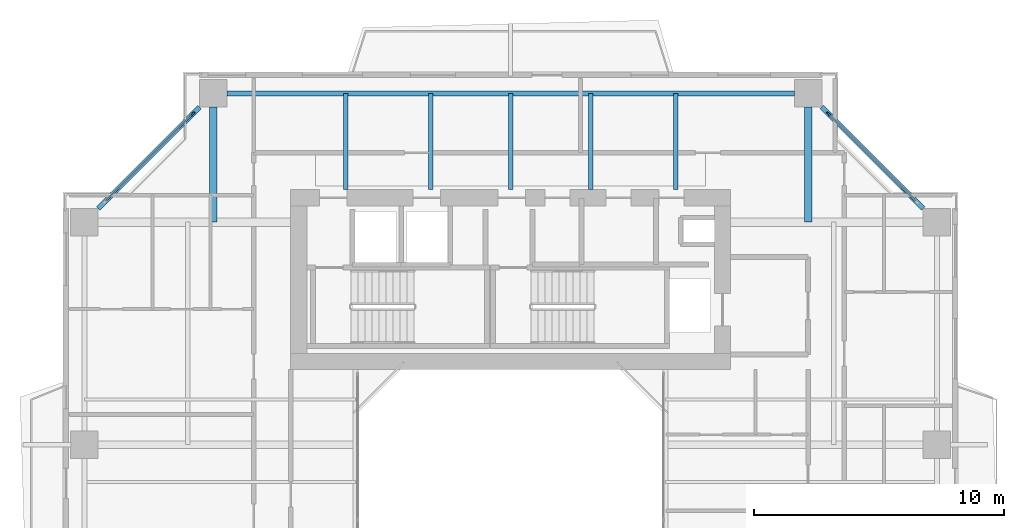
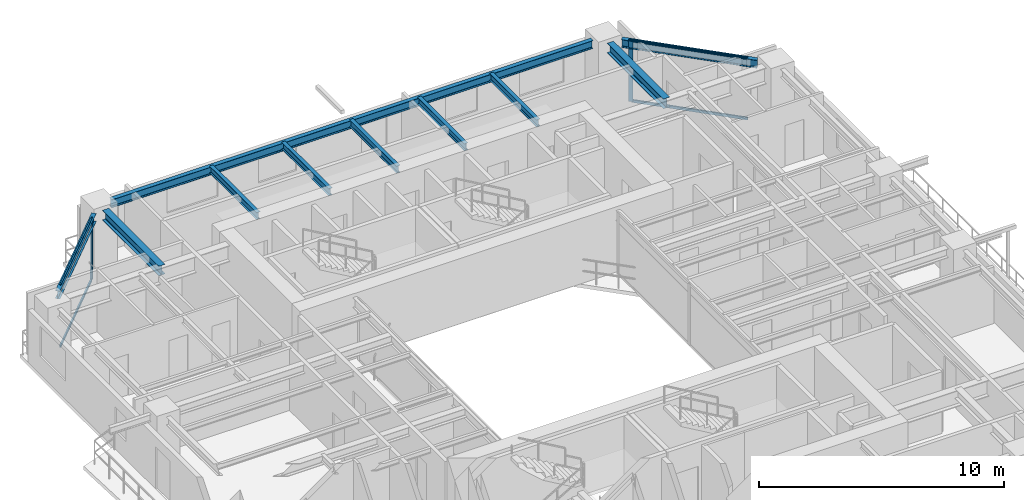
# One storey, part 8 of 17: 10 beams, 6 members, 2 elements without a shape of their own.
"""IFC4 building model written with IfcOpenShell, lengths in metres."""

from ifc_helpers import new_model, si_unit, direction, frame, origin, origin_2d, place, context, subcontext, project, spatial, rectangle, i_section, extrude, source, transform, mapped, material, layer, layer_set, material_profile, profile_set, type_object, element, aggregate, save


model = new_model("IFC4")

# Units and contexts
model_context = context("Model", 3, precision=1e-05, world=origin(), true_north=direction((0.0, 1.0)))
body_context = subcontext(model_context, "Body", "Model", "MODEL_VIEW")
ifc_project = project(units=[si_unit("LENGTHUNIT", "METRE"), si_unit("AREAUNIT", "SQUARE_METRE"), si_unit("VOLUMEUNIT", "CUBIC_METRE"), si_unit("PLANEANGLEUNIT", "RADIAN"), si_unit("MASSUNIT", "GRAM", prefix="KILO"), si_unit("THERMODYNAMICTEMPERATUREUNIT", "KELVIN"), si_unit("POWERUNIT", "WATT")], contexts=[model_context])

# Site, building, storey
site_placement = place(None, origin())
site = spatial("IfcSite", under=ifc_project, at=site_placement, CompositionType="ELEMENT")
building_placement = place(site_placement, origin())
building = spatial("IfcBuilding", under=site, at=building_placement, Name="Qiaomeng Ring Towers", CompositionType="ELEMENT")
storey_placement = place(building_placement, frame((0.0, 0.0, 126.25)))
storey = spatial("IfcBuildingStorey", under=building, at=storey_placement, Name="L36", CompositionType="ELEMENT", Elevation=126.25)

# Beams
ifc_material_1 = material(Name="Steel Q355B", Category="steel")
ifc_material_profile_1 = material_profile(ifc_material_1, i_section(OverallWidth=0.199951171875, OverallDepth=0.39990234375, WebThickness=0.008056640625, FlangeThickness=0.012939453125, FilletRadius=0.01611328125, at=origin_2d()), Name="HN 400x200x8x13")
ifc_profile_set_1 = profile_set([ifc_material_profile_1], Name="Steel Q355B")
beam_type_1 = type_object("IfcBeamType", Name="STR-BM-HN400", PredefinedType="SPANDREL", material=ifc_profile_set_1)
shared_shape_1 = source(origin(), body_context, "Body", "SweptSolid", [
    extrude(i_section(OverallWidth=0.199951171875, OverallDepth=0.39990234375, WebThickness=0.008056640625, FlangeThickness=0.012939453125, FilletRadius=0.01611328125, at=origin_2d()), origin(), (0.0, 0.0, 1.0), 22.7021484375),
])
beam_placement = place(storey_placement, frame((30.35107421875, 40.050048828125, 2.8701171875), z_axis=(-1.0, 0.0, 0.0), x_axis=(0.0, -1.0, 0.0)))
element("IfcBeam", 1, at=beam_placement, inside=storey, type_object=beam_type_1, Name="L36 beam STR-SP-L36-T1-N2-N1", PredefinedType="SPANDREL", context=body_context, shape_type="MappedRepresentation", body=[
    mapped(shared_shape_1, transform((0.0, 0.0, 0.0), x_axis=(1.0, 0.0, 0.0), y_axis=(0.0, 1.0, 0.0), z_axis=(0.0, 0.0, 1.0), scale=1.0)),
])
shared_shape_2 = source(origin(), body_context, "Body", "SweptSolid", [
    extrude(i_section(OverallWidth=0.199951171875, OverallDepth=0.39990234375, WebThickness=0.008056640625, FlangeThickness=0.012939453125, FilletRadius=0.01611328125, at=origin_2d()), origin(), (0.0, 0.0, 1.0), 5.729736328125),
])
for number, where, z_axis, x_axis, name in (
    (2, (35.500732421875, 35.44921875, 2.8701171875), (-0.707106781187, 0.707106781187, 0.0), (-0.707106781187, -0.707106781187, 0.0), "L36 beam STR-SP-L36-T1-E4-N2"),
    (3, (6.55078125, 39.500732421875, 2.8701171875), (-0.707106781187, -0.707106781187, 0.0), (0.707106781187, -0.707106781187, 0.0), "L36 beam STR-SP-L36-T1-N1-W4"),
):
    element("IfcBeam", number, at=place(storey_placement, frame(where, z_axis=z_axis, x_axis=x_axis)), inside=storey, type_object=beam_type_1, Name=name, PredefinedType="SPANDREL", context=body_context, shape_type="MappedRepresentation", body=[
        mapped(shared_shape_2, transform((0.0, 0.0, 0.0), x_axis=(1.0, 0.0, 0.0), y_axis=(0.0, 1.0, 0.0), z_axis=(0.0, 0.0, 1.0), scale=1.0)),
    ])
ifc_material_profile_2 = material_profile(ifc_material_1, i_section(OverallWidth=0.300048828125, OverallDepth=0.488037109375, WebThickness=0.010986328125, FlangeThickness=0.01806640625, FilletRadius=0.02587890625, at=origin_2d()), Name="HM 488x300x11x18")
ifc_profile_set_2 = profile_set([ifc_material_profile_2], Name="Steel Q355B")
beam_type_2 = type_object("IfcBeamType", Name="STR-BM-HM488", PredefinedType="BEAM", material=ifc_profile_set_2)
shared_shape_3 = source(origin(), body_context, "Body", "SweptSolid", [
    extrude(i_section(OverallWidth=0.300048828125, OverallDepth=0.488037109375, WebThickness=0.010986328125, FlangeThickness=0.01806640625, FilletRadius=0.02587890625, at=origin_2d()), origin(), (0.0, 0.0, 1.0), 4.60107421875),
])
for number, where, z_axis, x_axis, name in (
    (4, (7.10009765625, 39.5009765625, 2.825927734375), (0.0, -1.0, 0.0), (1.0, 0.0, 0.0), "L36 beam STR-BM-L36-T1-RAD-N1"),
    (5, (30.89990234375, 39.5009765625, 2.825927734375), (0.0, -1.0, 0.0), (1.0, 0.0, 0.0), "L36 beam STR-BM-L36-T1-RAD-N2"),
):
    element("IfcBeam", number, at=place(storey_placement, frame(where, z_axis=z_axis, x_axis=x_axis)), inside=storey, type_object=beam_type_2, Name=name, PredefinedType="BEAM", context=body_context, shape_type="MappedRepresentation", body=[
        mapped(shared_shape_3, transform((0.0, 0.0, 0.0), x_axis=(1.0, 0.0, 0.0), y_axis=(0.0, 1.0, 0.0), z_axis=(0.0, 0.0, 1.0), scale=1.0)),
    ])
ifc_material_profile_3 = material_profile(ifc_material_1, i_section(OverallWidth=0.175048828125, OverallDepth=0.35009765625, WebThickness=0.007080078125, FlangeThickness=0.010986328125, FilletRadius=0.013916015625, at=origin_2d()), Name="HN 350x175x7x11")
ifc_profile_set_3 = profile_set([ifc_material_profile_3], Name="Steel Q355B")
beam_type_3 = type_object("IfcBeamType", Name="STR-BM-HN350", PredefinedType="JOIST", material=ifc_profile_set_3)
shared_shape_4 = source(origin(), body_context, "Body", "SweptSolid", [
    extrude(i_section(OverallWidth=0.175048828125, OverallDepth=0.35009765625, WebThickness=0.007080078125, FlangeThickness=0.010986328125, FilletRadius=0.013916015625, at=origin_2d()), origin(), (0.0, 0.0, 1.0), 3.85009765625),
])
for number, where, z_axis, x_axis, name in (
    (6, (12.39990234375, 36.199951171875, 2.89501953125), (0.0, 1.0, 0.0), (-1.0, 0.0, 0.0), "L36 beam STR-JST-L36-T1N-1"),
    (7, (15.800048828125, 36.199951171875, 2.89501953125), (0.0, 1.0, 0.0), (-1.0, 0.0, 0.0), "L36 beam STR-JST-L36-T1N-2"),
    (8, (19.0, 36.199951171875, 2.89501953125), (0.0, 1.0, 0.0), (-1.0, 0.0, 0.0), "L36 beam STR-JST-L36-T1N-3"),
    (9, (22.199951171875, 36.199951171875, 2.89501953125), (0.0, 1.0, 0.0), (-1.0, 0.0, 0.0), "L36 beam STR-JST-L36-T1N-4"),
    (10, (25.60009765625, 36.199951171875, 2.89501953125), (0.0, 1.0, 0.0), (-1.0, 0.0, 0.0), "L36 beam STR-JST-L36-T1N-5"),
):
    element("IfcBeam", number, at=place(storey_placement, frame(where, z_axis=z_axis, x_axis=x_axis)), inside=storey, type_object=beam_type_3, Name=name, PredefinedType="JOIST", context=body_context, shape_type="MappedRepresentation", body=[
        mapped(shared_shape_4, transform((0.0, 0.0, 0.0), x_axis=(1.0, 0.0, 0.0), y_axis=(0.0, 1.0, 0.0), z_axis=(0.0, 0.0, 1.0), scale=1.0)),
    ])

# Curtain wall, member
ifc_material_2 = material(Name="Fluorocarbon dark-grey aluminium", Category="aluminium")
ifc_layer = layer(ifc_material_2, 0.14990234375, Name="Fluorocarbon dark-grey aluminium")
ifc_layer_set = layer_set([ifc_layer], Name="Fluorocarbon dark-grey aluminium")
curtain_wall_type = type_object("IfcCurtainWallType", Name="ARC-CW-3", PredefinedType="NOTDEFINED", material=ifc_layer_set)
curtain_wall_1_placement = place(storey_placement, origin())
curtain_wall_1 = element("IfcCurtainWall", 11, at=curtain_wall_1_placement, inside=storey, type_object=curtain_wall_type, Name="L36 Curtain Wall CW3", PredefinedType="NOTDEFINED")
ifc_material_profile_4 = material_profile(ifc_material_2, rectangle(XDim=0.070068359375, YDim=0.179931640625, at=origin_2d()), Name="ALU MULL 70x180")
ifc_profile_set_4 = profile_set([ifc_material_profile_4], Name="Fluorocarbon dark-grey aluminium")
member_type_1 = type_object("IfcMemberType", Name="ARC-CWM-160", PredefinedType="MULLION", material=ifc_profile_set_4)
shared_shape_5 = source(origin(), body_context, "Body", "SweptSolid", [
    extrude(rectangle(XDim=0.070068359375, YDim=0.179931640625, at=origin_2d()), origin(), (0.0, 0.0, 1.0), 3.070068359375),
])
member_1_placement = place(storey_placement, frame((31.71484375, 39.2353515625, 0.0), z_axis=(0.0, 0.0, 1.0), x_axis=(-0.707106781187, -0.707106781187, 0.0)))
member_1 = element("IfcMember", 12, at=member_1_placement, type_object=member_type_1, Name="CW3 mullion 2", PredefinedType="MULLION", context=body_context, shape_type="MappedRepresentation", body=[
    mapped(shared_shape_5, transform((0.0, 0.0, 0.0), x_axis=(1.0, 0.0, 0.0), y_axis=(0.0, 1.0, 0.0), z_axis=(0.0, 0.0, 1.0), scale=1.0)),
])

curtain_wall_2_placement = place(storey_placement, origin())
curtain_wall_2 = element("IfcCurtainWall", 13, at=curtain_wall_2_placement, inside=storey, type_object=curtain_wall_type, Name="L36 Curtain Wall CW3", PredefinedType="NOTDEFINED")
member_2_placement = place(storey_placement, frame((6.28515625, 39.2353515625, 0.0), z_axis=(0.0, 0.0, 1.0), x_axis=(0.707106781187, -0.707106781187, 0.0)))
member_2 = element("IfcMember", 14, at=member_2_placement, type_object=member_type_1, Name="CW3 mullion 1", PredefinedType="MULLION", context=body_context, shape_type="MappedRepresentation", body=[
    mapped(shared_shape_5, transform((0.0, 0.0, 0.0), x_axis=(1.0, 0.0, 0.0), y_axis=(0.0, 1.0, 0.0), z_axis=(0.0, 0.0, 1.0), scale=1.0)),
])

# Member
ifc_material_profile_5 = material_profile(ifc_material_2, rectangle(XDim=0.06494140625, YDim=0.1298828125, at=origin_2d()), Name="ALU TRAN 65x130")
ifc_profile_set_5 = profile_set([ifc_material_profile_5], Name="Fluorocarbon dark-grey aluminium")
member_type_2 = type_object("IfcMemberType", Name="ARC-CWT-120", PredefinedType="USERDEFINED", material=ifc_profile_set_5)
shared_shape_6 = source(origin(), body_context, "Body", "SweptSolid", [
    extrude(rectangle(XDim=0.06494140625, YDim=0.1298828125, at=origin_2d()), origin(), (0.0, 0.0, 1.0), 4.90869140625),
])
member_3_placement = place(storey_placement, frame((35.21044921875, 35.739501953125, 0.032470703125), z_axis=(-0.707106781187, 0.707106781187, 0.0), x_axis=(-0.707106781187, -0.707106781187, 0.0)))
member_3 = element("IfcMember", 15, at=member_3_placement, type_object=member_type_2, Name="CW3 transom 1.1", ObjectType="TRANSOM", PredefinedType="USERDEFINED", context=body_context, shape_type="MappedRepresentation", body=[
    mapped(shared_shape_6, transform((0.0, 0.0, 0.0), x_axis=(1.0, 0.0, 0.0), y_axis=(0.0, 1.0, 0.0), z_axis=(0.0, 0.0, 1.0), scale=1.0)),
])

member_4_placement = place(storey_placement, frame((35.21044921875, 35.739501953125, 3.03759765625), z_axis=(-0.707106781187, 0.707106781187, 0.0), x_axis=(-0.707106781187, -0.707106781187, 0.0)))
member_4 = element("IfcMember", 16, at=member_4_placement, type_object=member_type_2, Name="CW3 transom 1.2", ObjectType="TRANSOM", PredefinedType="USERDEFINED", context=body_context, shape_type="MappedRepresentation", body=[
    mapped(shared_shape_6, transform((0.0, 0.0, 0.0), x_axis=(1.0, 0.0, 0.0), y_axis=(0.0, 1.0, 0.0), z_axis=(0.0, 0.0, 1.0), scale=1.0)),
])

aggregate(curtain_wall_1, [member_1, member_3, member_4])

member_5_placement = place(storey_placement, frame((6.260498046875, 39.21044921875, 0.032470703125), z_axis=(-0.707106781187, -0.707106781187, 0.0), x_axis=(0.707106781187, -0.707106781187, 0.0)))
member_5 = element("IfcMember", 17, at=member_5_placement, type_object=member_type_2, Name="CW3 transom 1.1", ObjectType="TRANSOM", PredefinedType="USERDEFINED", context=body_context, shape_type="MappedRepresentation", body=[
    mapped(shared_shape_6, transform((0.0, 0.0, 0.0), x_axis=(1.0, 0.0, 0.0), y_axis=(0.0, 1.0, 0.0), z_axis=(0.0, 0.0, 1.0), scale=1.0)),
])

member_6_placement = place(storey_placement, frame((6.260498046875, 39.21044921875, 3.03759765625), z_axis=(-0.707106781187, -0.707106781187, 0.0), x_axis=(0.707106781187, -0.707106781187, 0.0)))
member_6 = element("IfcMember", 18, at=member_6_placement, type_object=member_type_2, Name="CW3 transom 1.2", ObjectType="TRANSOM", PredefinedType="USERDEFINED", context=body_context, shape_type="MappedRepresentation", body=[
    mapped(shared_shape_6, transform((0.0, 0.0, 0.0), x_axis=(1.0, 0.0, 0.0), y_axis=(0.0, 1.0, 0.0), z_axis=(0.0, 0.0, 1.0), scale=1.0)),
])

aggregate(curtain_wall_2, [member_2, member_5, member_6])

save(model, "model.ifc")
